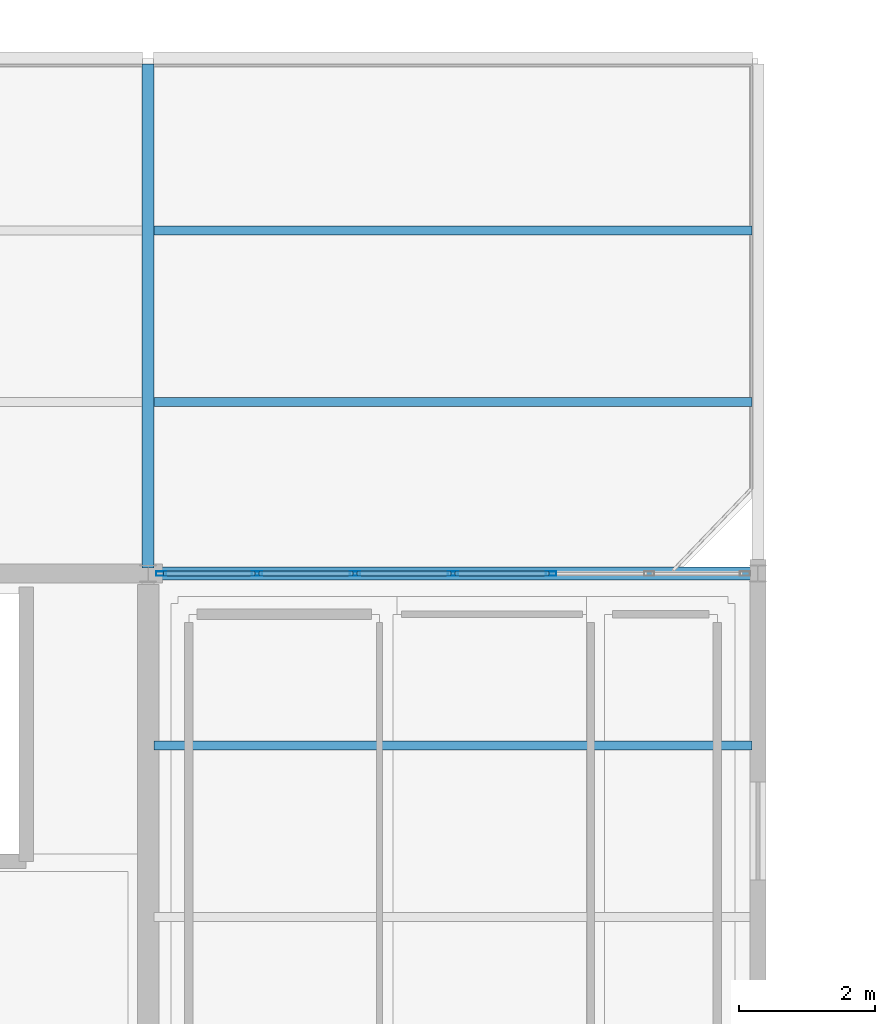
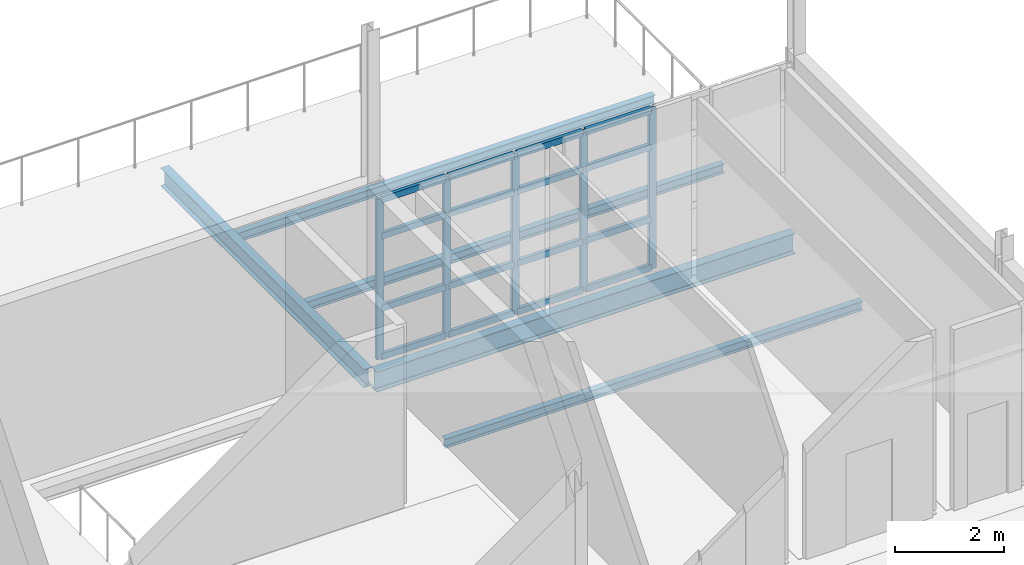
# One storey, part 49 of 96: 21 members, 5 beams, 1 element without a shape of its own.
"""IFC4 building model written with IfcOpenShell, lengths in metres."""

from ifc_helpers import new_model, si_unit, direction, frame, origin, origin_2d, place, context, subcontext, project, spatial, hollow_rectangle, i_section, extrude, material, material_profile, profile_set, type_object, element, aggregate, save


model = new_model("IFC4")

# Units and contexts
model_context = context("Model", 3, precision=1e-05, world=origin(), true_north=direction((0.0, 1.0)))
body_context = subcontext(model_context, "Body", "Model", "MODEL_VIEW")
ifc_project = project(units=[si_unit("LENGTHUNIT", "METRE"), si_unit("AREAUNIT", "SQUARE_METRE"), si_unit("VOLUMEUNIT", "CUBIC_METRE"), si_unit("PLANEANGLEUNIT", "RADIAN"), si_unit("MASSUNIT", "GRAM", prefix="KILO")], contexts=[model_context])

# Site, building, storey
site_placement = place(None, origin())
site = spatial("IfcSite", under=ifc_project, at=site_placement, CompositionType="ELEMENT")
building_placement = place(site_placement, origin())
building = spatial("IfcBuilding", under=site, at=building_placement, Name="Caisbarro Railhouse Central Library", CompositionType="ELEMENT")
storey_placement = place(building_placement, frame((0.0, 0.0, 13.679931640625)))
storey = spatial("IfcBuildingStorey", under=building, at=storey_placement, Name="L03", CompositionType="ELEMENT", Elevation=13.679931640625)

# Beams
ifc_material_1 = material(Name="Steel ASTM A572 Grade 50", Category="steel")
ifc_material_profile_1 = material_profile(ifc_material_1, i_section(OverallWidth=0.177978515625, OverallDepth=0.406982421875, WebThickness=0.0078125, FlangeThickness=0.0126953125, FilletRadius=0.01611328125, at=origin_2d()), Name="W410X60.0")
ifc_profile_set_1 = profile_set([ifc_material_profile_1], Name="Steel ASTM A572 Grade 50")
beam_type_1 = type_object("IfcBeamType", Name="BM-G10", PredefinedType="BEAM", material=ifc_profile_set_1)
beam_1_placement = place(storey_placement, frame((90.0, 106.47998046875, -0.413330078125), z_axis=(0.0, 1.0, 0.0), x_axis=(-1.0, 0.0, 0.0)))
element("IfcBeam", 1, at=beam_1_placement, inside=storey, type_object=beam_type_1, Name="G10 beam L03 #1956", PredefinedType="BEAM", context=body_context, shape_type="SweptSolid", body=[
    extrude(i_section(OverallWidth=0.177978515625, OverallDepth=0.406982421875, WebThickness=0.0078125, FlangeThickness=0.0126953125, FilletRadius=0.01611328125, at=origin_2d()), origin(), (0.0, 0.0, 1.0), 7.43994140625),
])
ifc_material_profile_2 = material_profile(ifc_material_1, i_section(OverallWidth=0.133056640625, OverallDepth=0.20703125, WebThickness=0.005859375, FlangeThickness=0.00830078125, FilletRadius=0.010009765625, at=origin_2d()), Name="W200X26.6")
ifc_profile_set_2 = profile_set([ifc_material_profile_2], Name="Steel ASTM A572 Grade 50")
beam_type_2 = type_object("IfcBeamType", Name="BM-J07", PredefinedType="JOIST", material=ifc_profile_set_2)
for number, where, z_axis, x_axis, name in (
    (2, (90.089111328125, 108.933349609375, -0.3134765625), (1.0, 0.0, 0.0), (0.0, 1.0, 0.0), "J07 beam L03 #1964"),
    (3, (90.089111328125, 111.466796875, -0.3134765625), (1.0, 0.0, 0.0), (0.0, 1.0, 0.0), "J07 beam L03 #1965"),
    (4, (90.089111328125, 103.86669921875, -0.303466796875), (1.0, 0.0, 0.0), (0.0, 1.0, 0.0), "J07 beam L03 #2014"),
):
    element("IfcBeam", number, at=place(storey_placement, frame(where, z_axis=z_axis, x_axis=x_axis)), inside=storey, type_object=beam_type_2, Name=name, PredefinedType="JOIST", context=body_context, shape_type="SweptSolid", body=[
        extrude(i_section(OverallWidth=0.133056640625, OverallDepth=0.20703125, WebThickness=0.005859375, FlangeThickness=0.00830078125, FilletRadius=0.010009765625, at=origin_2d()), origin(), (0.0, 0.0, 1.0), 8.82177734375),
    ])
ifc_material_profile_3 = material_profile(ifc_material_1, i_section(OverallWidth=0.18994140625, OverallDepth=0.45703125, WebThickness=0.009033203125, FlangeThickness=0.014404296875, FilletRadius=0.01806640625, at=origin_2d()), Name="W460X74.0")
ifc_profile_set_3 = profile_set([ifc_material_profile_3], Name="Steel ASTM A572 Grade 50")
beam_type_3 = type_object("IfcBeamType", Name="BM-SP01", PredefinedType="SPANDREL", material=ifc_profile_set_3)
beam_2_placement = place(storey_placement, frame((90.080078125, 106.39990234375, -0.4384765625), z_axis=(1.0, 0.0, 0.0), x_axis=(0.0, 1.0, 0.0)))
element("IfcBeam", 5, at=beam_2_placement, inside=storey, type_object=beam_type_3, Name="SP01 beam L03 #1948", PredefinedType="SPANDREL", context=body_context, shape_type="SweptSolid", body=[
    extrude(i_section(OverallWidth=0.18994140625, OverallDepth=0.45703125, WebThickness=0.009033203125, FlangeThickness=0.014404296875, FilletRadius=0.01806640625, at=origin_2d()), origin(), (0.0, 0.0, 1.0), 8.83984375),
])

# Curtain wall, members
ifc_material_2 = material(Name="Anodised architectural aluminium", Category="aluminium")
curtain_wall_type = type_object("IfcCurtainWallType", Name="CW-CW03", PredefinedType="NOTDEFINED", material=ifc_material_2)
curtain_wall_placement = place(storey_placement, origin())
curtain_wall = element("IfcCurtainWall", 6, at=curtain_wall_placement, inside=storey, type_object=curtain_wall_type, Name="CW03 curtain wall L03 #191", PredefinedType="NOTDEFINED")
ifc_material_profile_4 = material_profile(ifc_material_2, hollow_rectangle(XDim=0.06494140625, YDim=0.14990234375, WallThickness=0.00390625, at=origin_2d()), Name="ALU-MUL-65X150")
ifc_profile_set_4 = profile_set([ifc_material_profile_4], Name="Anodised architectural aluminium")
member_type_1 = type_object("IfcMemberType", Name="CWM-M02", PredefinedType="MULLION", material=ifc_profile_set_4)
member_1_placement = place(storey_placement, frame((90.1923828125, 106.39990234375, 0.0), z_axis=(0.0, 0.0, 1.0), x_axis=(0.0, 1.0, 0.0)))
member_1 = element("IfcMember", 7, at=member_1_placement, type_object=member_type_1, Name="CW03 mullion 1", PredefinedType="MULLION", context=body_context, shape_type="SweptSolid", body=[
    extrude(hollow_rectangle(XDim=0.06494140625, YDim=0.14990234375, WallThickness=0.00390625, at=origin_2d()), origin(), (0.0, 0.0, 1.0), 3.580078125),
])
member_2_placement = place(storey_placement, frame((91.606689453125, 106.39990234375, 0.0), z_axis=(0.0, 0.0, 1.0), x_axis=(0.0, 1.0, 0.0)))
member_2 = element("IfcMember", 8, at=member_2_placement, type_object=member_type_1, Name="CW03 mullion 2", PredefinedType="MULLION", context=body_context, shape_type="SweptSolid", body=[
    extrude(hollow_rectangle(XDim=0.06494140625, YDim=0.14990234375, WallThickness=0.00390625, at=origin_2d()), origin(), (0.0, 0.0, 1.0), 3.580078125),
])
member_3_placement = place(storey_placement, frame((93.05322265625, 106.39990234375, 0.0), z_axis=(0.0, 0.0, 1.0), x_axis=(0.0, 1.0, 0.0)))
member_3 = element("IfcMember", 9, at=member_3_placement, type_object=member_type_1, Name="CW03 mullion 3", PredefinedType="MULLION", context=body_context, shape_type="SweptSolid", body=[
    extrude(hollow_rectangle(XDim=0.06494140625, YDim=0.14990234375, WallThickness=0.00390625, at=origin_2d()), origin(), (0.0, 0.0, 1.0), 3.580078125),
])
member_4_placement = place(storey_placement, frame((94.5, 106.39990234375, 0.0), z_axis=(0.0, 0.0, 1.0), x_axis=(0.0, 1.0, 0.0)))
member_4 = element("IfcMember", 10, at=member_4_placement, type_object=member_type_1, Name="CW03 mullion 4", PredefinedType="MULLION", context=body_context, shape_type="SweptSolid", body=[
    extrude(hollow_rectangle(XDim=0.06494140625, YDim=0.14990234375, WallThickness=0.00390625, at=origin_2d()), origin(), (0.0, 0.0, 1.0), 3.580078125),
])
member_5_placement = place(storey_placement, frame((95.94677734375, 106.39990234375, 0.0), z_axis=(0.0, 0.0, 1.0), x_axis=(0.0, 1.0, 0.0)))
member_5 = element("IfcMember", 11, at=member_5_placement, type_object=member_type_1, Name="CW03 mullion 5", PredefinedType="MULLION", context=body_context, shape_type="SweptSolid", body=[
    extrude(hollow_rectangle(XDim=0.06494140625, YDim=0.14990234375, WallThickness=0.00390625, at=origin_2d()), origin(), (0.0, 0.0, 1.0), 3.580078125),
])
ifc_material_profile_5 = material_profile(ifc_material_2, hollow_rectangle(XDim=0.074951171875, YDim=0.139892578125, WallThickness=0.00390625, at=origin_2d()), Name="ALU-TRN-75X140")
ifc_profile_set_5 = profile_set([ifc_material_profile_5], Name="Anodised architectural aluminium")
member_type_2 = type_object("IfcMemberType", Name="CWT-T01", PredefinedType="USERDEFINED", material=ifc_profile_set_5)
member_6_placement = place(storey_placement, frame((90.22509765625, 106.39990234375, 0.03759765625), z_axis=(1.0, 0.0, 0.0), x_axis=(0.0, 1.0, 0.0)))
member_6 = element("IfcMember", 12, at=member_6_placement, type_object=member_type_2, Name="CW03 transom 1.1", ObjectType="TRANSOM", PredefinedType="USERDEFINED", context=body_context, shape_type="SweptSolid", body=[
    extrude(hollow_rectangle(XDim=0.074951171875, YDim=0.139892578125, WallThickness=0.00390625, at=origin_2d()), origin(), (0.0, 0.0, 1.0), 1.34912109375),
])
member_7_placement = place(storey_placement, frame((90.22509765625, 106.39990234375, 1.1201171875), z_axis=(1.0, 0.0, 0.0), x_axis=(0.0, 1.0, 0.0)))
member_7 = element("IfcMember", 13, at=member_7_placement, type_object=member_type_2, Name="CW03 transom 1.2", ObjectType="TRANSOM", PredefinedType="USERDEFINED", context=body_context, shape_type="SweptSolid", body=[
    extrude(hollow_rectangle(XDim=0.074951171875, YDim=0.139892578125, WallThickness=0.00390625, at=origin_2d()), origin(), (0.0, 0.0, 1.0), 1.34912109375),
])
member_8_placement = place(storey_placement, frame((90.22509765625, 106.39990234375, 2.72998046875), z_axis=(1.0, 0.0, 0.0), x_axis=(0.0, 1.0, 0.0)))
member_8 = element("IfcMember", 14, at=member_8_placement, type_object=member_type_2, Name="CW03 transom 1.3", ObjectType="TRANSOM", PredefinedType="USERDEFINED", context=body_context, shape_type="SweptSolid", body=[
    extrude(hollow_rectangle(XDim=0.074951171875, YDim=0.139892578125, WallThickness=0.00390625, at=origin_2d()), origin(), (0.0, 0.0, 1.0), 1.34912109375),
])
member_9_placement = place(storey_placement, frame((90.22509765625, 106.39990234375, 3.54248046875), z_axis=(1.0, 0.0, 0.0), x_axis=(0.0, 1.0, 0.0)))
member_9 = element("IfcMember", 15, at=member_9_placement, type_object=member_type_2, Name="CW03 transom 1.4", ObjectType="TRANSOM", PredefinedType="USERDEFINED", context=body_context, shape_type="SweptSolid", body=[
    extrude(hollow_rectangle(XDim=0.074951171875, YDim=0.139892578125, WallThickness=0.00390625, at=origin_2d()), origin(), (0.0, 0.0, 1.0), 1.34912109375),
])
member_10_placement = place(storey_placement, frame((91.63916015625, 106.39990234375, 0.03759765625), z_axis=(1.0, 0.0, 0.0), x_axis=(0.0, 1.0, 0.0)))
member_10 = element("IfcMember", 16, at=member_10_placement, type_object=member_type_2, Name="CW03 transom 2.1", ObjectType="TRANSOM", PredefinedType="USERDEFINED", context=body_context, shape_type="SweptSolid", body=[
    extrude(hollow_rectangle(XDim=0.074951171875, YDim=0.139892578125, WallThickness=0.00390625, at=origin_2d()), origin(), (0.0, 0.0, 1.0), 1.381591796875),
])
member_11_placement = place(storey_placement, frame((91.63916015625, 106.39990234375, 1.1201171875), z_axis=(1.0, 0.0, 0.0), x_axis=(0.0, 1.0, 0.0)))
member_11 = element("IfcMember", 17, at=member_11_placement, type_object=member_type_2, Name="CW03 transom 2.2", ObjectType="TRANSOM", PredefinedType="USERDEFINED", context=body_context, shape_type="SweptSolid", body=[
    extrude(hollow_rectangle(XDim=0.074951171875, YDim=0.139892578125, WallThickness=0.00390625, at=origin_2d()), origin(), (0.0, 0.0, 1.0), 1.381591796875),
])
member_12_placement = place(storey_placement, frame((91.63916015625, 106.39990234375, 2.72998046875), z_axis=(1.0, 0.0, 0.0), x_axis=(0.0, 1.0, 0.0)))
member_12 = element("IfcMember", 18, at=member_12_placement, type_object=member_type_2, Name="CW03 transom 2.3", ObjectType="TRANSOM", PredefinedType="USERDEFINED", context=body_context, shape_type="SweptSolid", body=[
    extrude(hollow_rectangle(XDim=0.074951171875, YDim=0.139892578125, WallThickness=0.00390625, at=origin_2d()), origin(), (0.0, 0.0, 1.0), 1.381591796875),
])
member_13_placement = place(storey_placement, frame((91.63916015625, 106.39990234375, 3.54248046875), z_axis=(1.0, 0.0, 0.0), x_axis=(0.0, 1.0, 0.0)))
member_13 = element("IfcMember", 19, at=member_13_placement, type_object=member_type_2, Name="CW03 transom 2.4", ObjectType="TRANSOM", PredefinedType="USERDEFINED", context=body_context, shape_type="SweptSolid", body=[
    extrude(hollow_rectangle(XDim=0.074951171875, YDim=0.139892578125, WallThickness=0.00390625, at=origin_2d()), origin(), (0.0, 0.0, 1.0), 1.381591796875),
])
member_14_placement = place(storey_placement, frame((93.0859375, 106.39990234375, 0.03759765625), z_axis=(1.0, 0.0, 0.0), x_axis=(0.0, 1.0, 0.0)))
member_14 = element("IfcMember", 20, at=member_14_placement, type_object=member_type_2, Name="CW03 transom 3.1", ObjectType="TRANSOM", PredefinedType="USERDEFINED", context=body_context, shape_type="SweptSolid", body=[
    extrude(hollow_rectangle(XDim=0.074951171875, YDim=0.139892578125, WallThickness=0.00390625, at=origin_2d()), origin(), (0.0, 0.0, 1.0), 1.381591796875),
])
member_15_placement = place(storey_placement, frame((93.0859375, 106.39990234375, 1.1201171875), z_axis=(1.0, 0.0, 0.0), x_axis=(0.0, 1.0, 0.0)))
member_15 = element("IfcMember", 21, at=member_15_placement, type_object=member_type_2, Name="CW03 transom 3.2", ObjectType="TRANSOM", PredefinedType="USERDEFINED", context=body_context, shape_type="SweptSolid", body=[
    extrude(hollow_rectangle(XDim=0.074951171875, YDim=0.139892578125, WallThickness=0.00390625, at=origin_2d()), origin(), (0.0, 0.0, 1.0), 1.381591796875),
])
member_16_placement = place(storey_placement, frame((93.0859375, 106.39990234375, 2.72998046875), z_axis=(1.0, 0.0, 0.0), x_axis=(0.0, 1.0, 0.0)))
member_16 = element("IfcMember", 22, at=member_16_placement, type_object=member_type_2, Name="CW03 transom 3.3", ObjectType="TRANSOM", PredefinedType="USERDEFINED", context=body_context, shape_type="SweptSolid", body=[
    extrude(hollow_rectangle(XDim=0.074951171875, YDim=0.139892578125, WallThickness=0.00390625, at=origin_2d()), origin(), (0.0, 0.0, 1.0), 1.381591796875),
])
member_17_placement = place(storey_placement, frame((93.0859375, 106.39990234375, 3.54248046875), z_axis=(1.0, 0.0, 0.0), x_axis=(0.0, 1.0, 0.0)))
member_17 = element("IfcMember", 23, at=member_17_placement, type_object=member_type_2, Name="CW03 transom 3.4", ObjectType="TRANSOM", PredefinedType="USERDEFINED", context=body_context, shape_type="SweptSolid", body=[
    extrude(hollow_rectangle(XDim=0.074951171875, YDim=0.139892578125, WallThickness=0.00390625, at=origin_2d()), origin(), (0.0, 0.0, 1.0), 1.381591796875),
])
member_18_placement = place(storey_placement, frame((94.532470703125, 106.39990234375, 0.03759765625), z_axis=(1.0, 0.0, 0.0), x_axis=(0.0, 1.0, 0.0)))
member_18 = element("IfcMember", 24, at=member_18_placement, type_object=member_type_2, Name="CW03 transom 4.1", ObjectType="TRANSOM", PredefinedType="USERDEFINED", context=body_context, shape_type="SweptSolid", body=[
    extrude(hollow_rectangle(XDim=0.074951171875, YDim=0.139892578125, WallThickness=0.00390625, at=origin_2d()), origin(), (0.0, 0.0, 1.0), 1.381591796875),
])
member_19_placement = place(storey_placement, frame((94.532470703125, 106.39990234375, 1.1201171875), z_axis=(1.0, 0.0, 0.0), x_axis=(0.0, 1.0, 0.0)))
member_19 = element("IfcMember", 25, at=member_19_placement, type_object=member_type_2, Name="CW03 transom 4.2", ObjectType="TRANSOM", PredefinedType="USERDEFINED", context=body_context, shape_type="SweptSolid", body=[
    extrude(hollow_rectangle(XDim=0.074951171875, YDim=0.139892578125, WallThickness=0.00390625, at=origin_2d()), origin(), (0.0, 0.0, 1.0), 1.381591796875),
])
member_20_placement = place(storey_placement, frame((94.532470703125, 106.39990234375, 2.72998046875), z_axis=(1.0, 0.0, 0.0), x_axis=(0.0, 1.0, 0.0)))
member_20 = element("IfcMember", 26, at=member_20_placement, type_object=member_type_2, Name="CW03 transom 4.3", ObjectType="TRANSOM", PredefinedType="USERDEFINED", context=body_context, shape_type="SweptSolid", body=[
    extrude(hollow_rectangle(XDim=0.074951171875, YDim=0.139892578125, WallThickness=0.00390625, at=origin_2d()), origin(), (0.0, 0.0, 1.0), 1.381591796875),
])
member_21_placement = place(storey_placement, frame((94.532470703125, 106.39990234375, 3.54248046875), z_axis=(1.0, 0.0, 0.0), x_axis=(0.0, 1.0, 0.0)))
member_21 = element("IfcMember", 27, at=member_21_placement, type_object=member_type_2, Name="CW03 transom 4.4", ObjectType="TRANSOM", PredefinedType="USERDEFINED", context=body_context, shape_type="SweptSolid", body=[
    extrude(hollow_rectangle(XDim=0.074951171875, YDim=0.139892578125, WallThickness=0.00390625, at=origin_2d()), origin(), (0.0, 0.0, 1.0), 1.381591796875),
])
aggregate(curtain_wall, [member_1, member_2, member_3, member_4, member_5, member_6, member_7, member_8, member_9, member_10, member_11, member_12, member_13, member_14, member_15, member_16, member_17, member_18, member_19, member_20, member_21])

save(model, "model.ifc")
